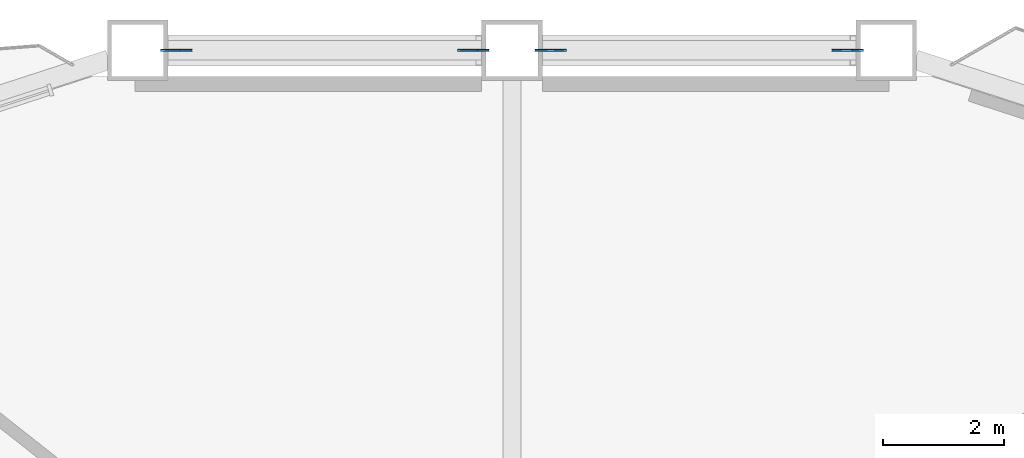
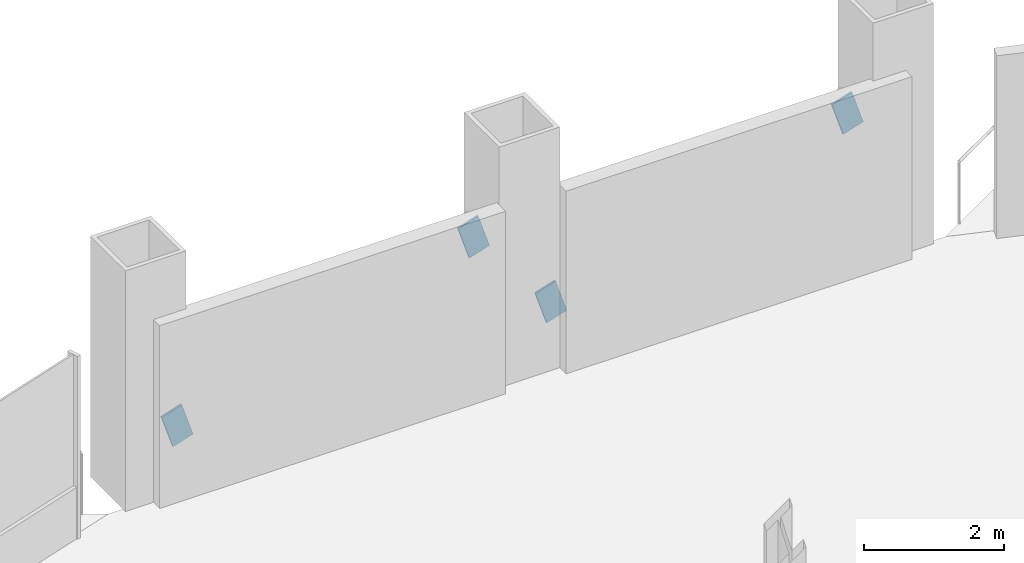
# One storey, part 15 of 20: 4 discrete accessories.
"""IFC4 building model written with IfcOpenShell, lengths in metres."""

import ifcopenshell
import ifcopenshell.guid

model = None  # the IFC model being written
_history = None  # IfcOwnerHistory: only IFC2X3 demands one
_inside = {}  # id of a spatial element -> (the spatial element, [elements in it])
_under = {}  # id of a project, library or spatial element -> (it, [spatial elements below it])
_declared = {}  # id of a project -> (the project, [libraries it declares])
_typed = {}  # id of a type object -> (the type object, [elements of that type])
_made_of = {}  # id of a material, layer set ... -> (it, [elements and type objects made of it])


def new_model(schema):
    """Start an empty IFC model of exactly this schema.

    Asked for "IFC4X3", IfcOpenShell would pick the latest addendum, in which some entities
    have other attributes; the version numbers below select the first issue.
    IFC2X3 requires an IfcOwnerHistory on every rooted entity: one is made here for all.
    """
    global model, _history
    if schema == "IFC4X3":
        model = ifcopenshell.file(schema_version=(4, 3, 0, 0))
    else:
        model = ifcopenshell.file(schema=schema)
    _inside.clear()
    _under.clear()
    _declared.clear()
    _typed.clear()
    _made_of.clear()
    _history = None
    if model.schema == "IFC2X3":
        org = make("IfcOrganization", Name="unknown")
        user = make(
            "IfcPersonAndOrganization",
            ThePerson=make("IfcPerson", FamilyName="unknown"),
            TheOrganization=org,
        )
        app = make(
            "IfcApplication",
            ApplicationDeveloper=org,
            Version="unknown",
            ApplicationFullName="unknown",
            ApplicationIdentifier="unknown",
        )
        _history = make(
            "IfcOwnerHistory",
            OwningUser=user,
            OwningApplication=app,
            ChangeAction="ADDED",
            CreationDate=0,
        )
    return model


def make(cls, **values):
    """One entity of the class cls with the attributes given. An attribute that is None is left unset."""
    return model.create_entity(
        cls, **{name: value for name, value in values.items() if value is not None}
    )


def rooted(cls, **values):
    """An entity with a GlobalId (a new one), such as an element, a storey or a relation."""
    return make(cls, GlobalId=ifcopenshell.guid.new(), OwnerHistory=_history, **values)


def si_unit(unit_type, name, prefix=None):
    """IfcSIUnit, for example si_unit("LENGTHUNIT", "METRE", prefix="MILLI")."""
    return make("IfcSIUnit", UnitType=unit_type, Prefix=prefix, Name=name)


def assignment(units):
    """IfcUnitAssignment: the units of a project."""
    return None if units is None else make("IfcUnitAssignment", Units=units)


def point(xyz):
    """IfcCartesianPoint."""
    return None if xyz is None else make("IfcCartesianPoint", Coordinates=xyz)


def direction(xyz):
    """IfcDirection."""
    return None if xyz is None else make("IfcDirection", DirectionRatios=xyz)


def frame(location, z_axis=None, x_axis=None):
    """IfcAxis2Placement3D, a coordinate frame: its origin and axes. An axis left out is left unset."""
    return make(
        "IfcAxis2Placement3D",
        Location=point(location),
        Axis=direction(z_axis),
        RefDirection=direction(x_axis),
    )


def frame_2d(location, x_axis=None):
    """IfcAxis2Placement2D, a coordinate frame in the plane: its origin and x axis."""
    return make(
        "IfcAxis2Placement2D", Location=point(location), RefDirection=direction(x_axis)
    )


def origin():
    """The frame at (0, 0, 0) with its axes left unset."""
    return frame((0.0, 0.0, 0.0))


def origin_2d():
    """The frame at (0, 0) in the plane with its x axis left unset."""
    return frame_2d((0.0, 0.0))


def place(relative_to, where):
    """IfcLocalPlacement: puts the frame where relative to a parent placement (None: the world)."""
    return make(
        "IfcLocalPlacement", PlacementRelTo=relative_to, RelativePlacement=where
    )


def context(
    kind, dimensions, precision=None, world=None, true_north=None, identifier=None
):
    """IfcGeometricRepresentationContext, for example the 3D "Model" context."""
    return make(
        "IfcGeometricRepresentationContext",
        ContextIdentifier=identifier,
        ContextType=kind,
        CoordinateSpaceDimension=dimensions,
        Precision=precision,
        WorldCoordinateSystem=world,
        TrueNorth=true_north,
    )


def subcontext(parent, identifier, kind, view, scale=None):
    """IfcGeometricRepresentationSubContext, for example "Body" below "Model"."""
    return make(
        "IfcGeometricRepresentationSubContext",
        ContextIdentifier=identifier,
        ContextType=kind,
        ParentContext=parent,
        TargetScale=scale,
        TargetView=view,
    )


def project(units=None, contexts=None):
    """IfcProject with its units and contexts."""
    return rooted(
        "IfcProject",
        Name="project",
        RepresentationContexts=contexts,
        UnitsInContext=assignment(units),
    )


def spatial(cls, under=None, at=None, **own):
    """A site, building, storey or space (cls), placed at a placement, below another one or the project."""
    s = rooted(cls, ObjectPlacement=at, **own)
    if under is not None:
        _under.setdefault(under.id(), (under, []))[1].append(s)
    return s


def profile(cls, at=None, kind="AREA", **sizes):
    """A parametric profile (cls). Its sizes go by their IFC names, for example OverallWidth=200.0."""
    return make(cls, ProfileType=kind, Position=at, **sizes)


def rectangle(**sizes):
    """IfcRectangleProfileDef."""
    return profile("IfcRectangleProfileDef", **sizes)


def extrude(swept, where, along, depth):
    """IfcExtrudedAreaSolid: the profile swept, set in the frame where, extruded along a direction by depth."""
    return make(
        "IfcExtrudedAreaSolid",
        SweptArea=swept,
        Position=where,
        ExtrudedDirection=direction(along),
        Depth=depth,
    )


def shape(context_of_items, identifier, shape_type, items):
    """IfcShapeRepresentation: the items that make up one representation, for example the "Body"."""
    return make(
        "IfcShapeRepresentation",
        ContextOfItems=context_of_items,
        RepresentationIdentifier=identifier,
        RepresentationType=shape_type,
        Items=items,
    )


def material(Name=None, Category=None):
    """IfcMaterial."""
    return make("IfcMaterial", Name=Name, Category=Category)


def material_profile(
    of_material, cross_section, Name=None, Category=None, Priority=None
):
    """IfcMaterialProfile: a cross section and its material."""
    return make(
        "IfcMaterialProfile",
        Name=Name,
        Material=of_material,
        Profile=cross_section,
        Priority=Priority,
        Category=Category,
    )


def profile_set(profiles, Name=None, composite=None):
    """IfcMaterialProfileSet."""
    return make(
        "IfcMaterialProfileSet",
        Name=Name,
        MaterialProfiles=profiles,
        CompositeProfile=composite,
    )


def made_of(thing, what):
    """Note that an element or type object is made of a material, layer set ...; save() writes the relation."""
    if what is not None:
        _made_of.setdefault(what.id(), (what, []))[1].append(thing)
    return thing


def type_object(cls, material=None, **own):
    """A type object (cls), such as IfcWallType, which elements share."""
    return made_of(rooted(cls, **own), material)


def element(
    cls,
    number,
    at=None,
    inside=None,
    cuts=None,
    type_object=None,
    material=None,
    context=None,
    identifier="Body",
    shape_type=None,
    held_by="IfcProductDefinitionShape",
    body=None,
    shapes=None,
    **own,
):
    """One element of the class cls, such as IfcWall. Its Tag is "e" and its number.

    at: its placement. inside: the storey or other place that contains it. cuts: it is an
    opening in that element (IfcRelVoidsElement). A single representation is given by context,
    identifier, shape_type and body (its items); several are given by shapes. held_by: the class
    of the entity that holds the representations. save() writes the other relations.
    """
    e = rooted(cls, Tag="e%d" % number, ObjectPlacement=at, **own)
    if body is not None:
        shapes = [shape(context, identifier, shape_type, body)]
    if shapes is not None:
        e.Representation = make(held_by, Representations=shapes)
    if inside is not None:
        _inside.setdefault(inside.id(), (inside, []))[1].append(e)
    if cuts is not None:
        rooted(
            "IfcRelVoidsElement", RelatingBuildingElement=cuts, RelatedOpeningElement=e
        )
    if type_object is not None:
        _typed.setdefault(type_object.id(), (type_object, []))[1].append(e)
    return made_of(e, material)


def aggregate(whole, parts):
    """IfcRelAggregates: a whole, such as a stair, and the parts it consists of."""
    return rooted("IfcRelAggregates", RelatingObject=whole, RelatedObjects=parts)


def save(model, path):
    """Write the relations noted so far, then the file.

    IfcRelAggregates (storeys below a building ...), IfcRelContainedInSpatialStructure (elements
    in a storey), IfcRelDefinesByType, IfcRelAssociatesMaterial and IfcRelDeclares: one each for
    every whole, place, type object, material and project.
    """
    for whole, parts in _under.values():
        aggregate(whole, parts)
    for where, things in _inside.values():
        rooted(
            "IfcRelContainedInSpatialStructure",
            RelatedElements=things,
            RelatingStructure=where,
        )
    for kind, things in _typed.values():
        rooted("IfcRelDefinesByType", RelatedObjects=things, RelatingType=kind)
    for what, things in _made_of.values():
        rooted("IfcRelAssociatesMaterial", RelatedObjects=things, RelatingMaterial=what)
    for by, libraries in _declared.values():
        rooted("IfcRelDeclares", RelatingContext=by, RelatedDefinitions=libraries)
    model.write(path)


model = new_model("IFC4")

# Units and contexts
model_context = context("Model", 3, precision=1e-05, world=origin(), true_north=direction((0.0, 1.0)))
body_context = subcontext(model_context, "Body", "Model", "MODEL_VIEW")
ifc_project = project(units=[si_unit("LENGTHUNIT", "METRE"), si_unit("AREAUNIT", "SQUARE_METRE"), si_unit("VOLUMEUNIT", "CUBIC_METRE"), si_unit("PLANEANGLEUNIT", "RADIAN"), si_unit("MASSUNIT", "GRAM", prefix="KILO")], contexts=[model_context])

# Site, building, storey
site_placement = place(None, origin())
site = spatial("IfcSite", under=ifc_project, at=site_placement, CompositionType="ELEMENT")
building_placement = place(site_placement, origin())
building = spatial("IfcBuilding", under=site, at=building_placement, Name="Cormorant Prow Tower", CompositionType="ELEMENT")
storey_placement = place(building_placement, frame((0.0, 0.0, 34.199951171875)))
storey = spatial("IfcBuildingStorey", under=building, at=storey_placement, Name="L06", CompositionType="ELEMENT", Elevation=34.199951171875)

# Discrete accessories
ifc_material = material(Name="Structural steel ASTM A500 Gr C", Category="steel")
ifc_material_profile = material_profile(ifc_material, rectangle(XDim=0.031982421875, YDim=0.60791015625, at=origin_2d()), Name="Gusset plate 32x608")
ifc_profile_set = profile_set([ifc_material_profile], Name="Structural steel ASTM A500 Gr C")
discrete_accessory_type = type_object("IfcDiscreteAccessoryType", Name="Gusset plate 32x608", PredefinedType="BRACKET", material=ifc_profile_set)
for number, where, z_axis, x_axis, name in (
    (1, (0.80419921875, 32.233642578125, 0.859375), (-0.951708617761, 0.0, -0.307002779923), (0.0, -1.0, 0.0), "Gusset plate GP1 L06.N00.g0"),
    (2, (5.365478515625, 32.233642578125, 2.32958984375), (0.951708617761, 0.0, 0.307002779923), (0.0, 1.0, 0.0), "Gusset plate GP1 L06.N00.g1"),
    (3, (-5.365478515625, 32.233642578125, 0.859375), (-0.951708617761, 0.0, -0.307002779923), (0.0, -1.0, 0.0), "Gusset plate GP1 L06.N01.g0"),
    (4, (-0.80419921875, 32.233642578125, 2.32958984375), (0.951708617761, 0.0, 0.307002779923), (0.0, 1.0, 0.0), "Gusset plate GP1 L06.N01.g1"),
):
    element("IfcDiscreteAccessory", number, at=place(storey_placement, frame(where, z_axis=z_axis, x_axis=x_axis)), inside=storey, type_object=discrete_accessory_type, Name=name, PredefinedType="BRACKET", context=body_context, shape_type="SweptSolid", body=[
        extrude(rectangle(XDim=0.031982421875, YDim=0.60791015625, at=origin_2d()), origin(), (0.0, 0.0, 1.0), 0.349853515625),
    ])

save(model, "model.ifc")
